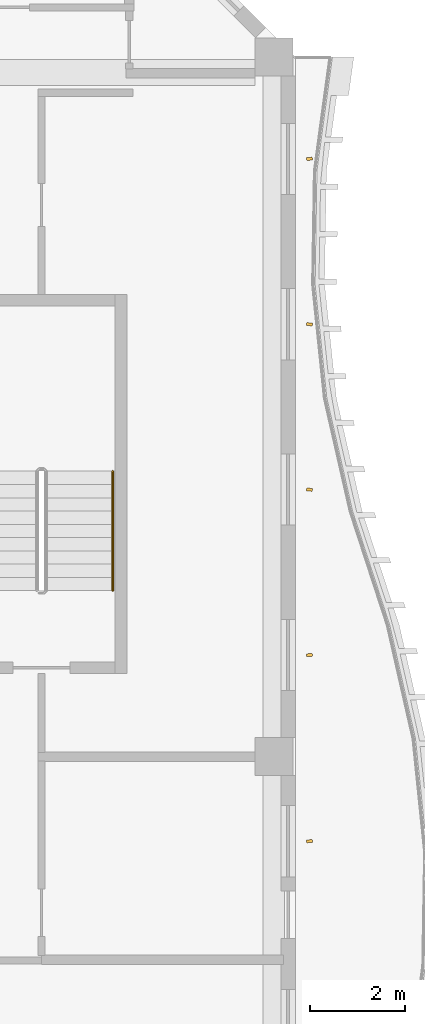
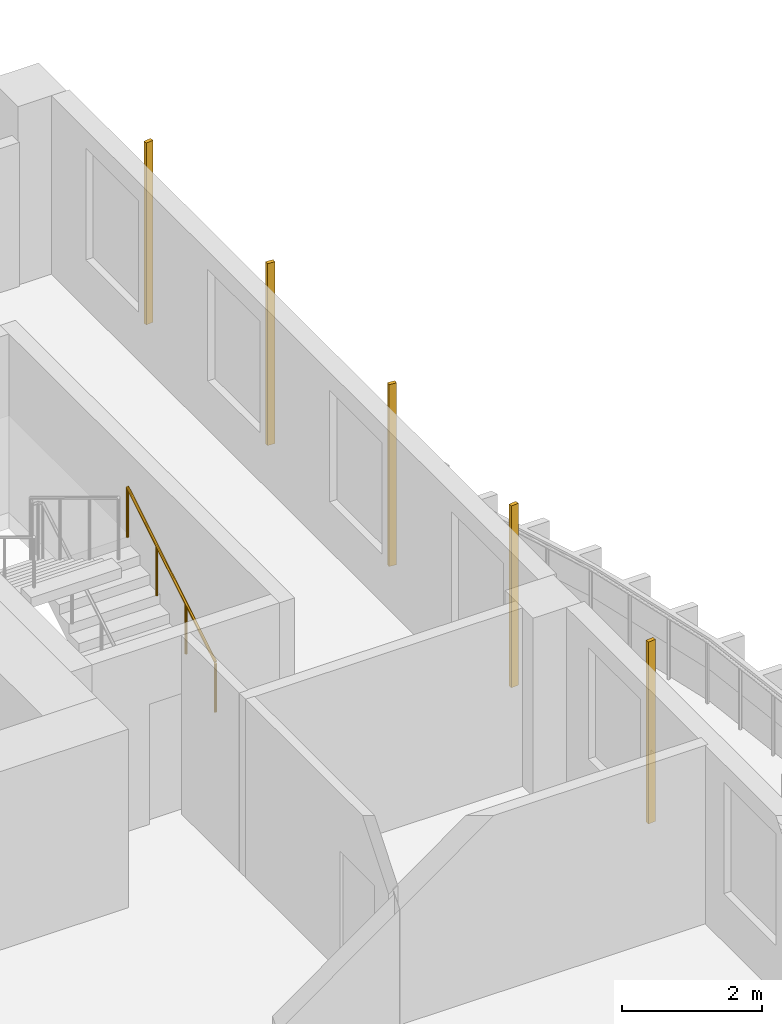
# One storey, part 24 of 24: 5 shading devices, 1 railing.
"""IFC4 building model written with IfcOpenShell, lengths in metres."""

from ifc_helpers import new_model, si_unit, direction, frame, origin, origin_2d, place, context, subcontext, project, spatial, rectangle, circle, extrude, source, transform, mapped, material, material_profile, profile_set, type_object, element, save


model = new_model("IFC4")

# Units and contexts
model_context = context("Model", 3, precision=1e-05, world=origin(), true_north=direction((0.0, 1.0)))
body_context = subcontext(model_context, "Body", "Model", "MODEL_VIEW")
ifc_project = project(units=[si_unit("LENGTHUNIT", "METRE"), si_unit("AREAUNIT", "SQUARE_METRE"), si_unit("VOLUMEUNIT", "CUBIC_METRE"), si_unit("PLANEANGLEUNIT", "RADIAN"), si_unit("MASSUNIT", "GRAM", prefix="KILO")], contexts=[model_context])

# Site, building, storey
site_placement = place(None, origin())
site = spatial("IfcSite", under=ifc_project, at=site_placement, CompositionType="ELEMENT")
building_placement = place(site_placement, origin())
building = spatial("IfcBuilding", under=site, at=building_placement, Name="Kilnfold Tower and Market Hall", CompositionType="ELEMENT")
storey_placement = place(building_placement, frame((0.0, 0.0, 175.300048828125)))
storey = spatial("IfcBuildingStorey", under=building, at=storey_placement, Name="L41", CompositionType="ELEMENT", Elevation=175.300048828125)

# Railing
ifc_material_1 = material(Name="Stainless steel 316", Category="steel")
railing_type = type_object("IfcRailingType", Name="CORE STAIR HANDRAIL 900", PredefinedType="HANDRAIL", material=ifc_material_1)
railing_placement = place(storey_placement, frame((21.39990234375, 11.5, 0.169921875)))
element("IfcRailing", 1, at=railing_placement, inside=storey, type_object=railing_type, Name="L41 ST5 stair handrail 1", PredefinedType="HANDRAIL", context=body_context, shape_type="SweptSolid", body=[
    extrude(circle(Radius=0.02392578125, at=origin_2d()), frame((0.0, 0.0, 0.8759765625), z_axis=(0.0, 0.85478489116, 0.518982456201), x_axis=(-1.0, 0.0, 0.0)), (0.0, 0.0, 1.0), 2.9482421875),
    extrude(circle(Radius=0.02099609375, at=origin_2d()), origin(), (0.0, 0.0, 1.0), 0.851806640625),
    extrude(circle(Radius=0.02099609375, at=origin_2d()), frame((0.0, 0.840087890625, 0.510009765625)), (0.0, 0.0, 1.0), 0.851806640625),
    extrude(circle(Radius=0.02099609375, at=origin_2d()), frame((0.0, 1.679931640625, 1.02001953125)), (0.0, 0.0, 1.0), 0.851806640625),
    extrude(circle(Radius=0.02099609375, at=origin_2d()), frame((0.0, 2.52001953125, 1.530029296875)), (0.0, 0.0, 1.0), 0.851806640625),
])

# Shading devices
ifc_material_2 = material(Name="Terracotta", Category="masonry")
ifc_material_profile = material_profile(ifc_material_2, rectangle(XDim=0.06005859375, YDim=0.1201171875, at=origin_2d()), Name="BAG 60x120")
ifc_profile_set = profile_set([ifc_material_profile], Name="Terracotta")
shading_device_type = type_object("IfcShadingDeviceType", Name="BAGUETTE", PredefinedType="USERDEFINED", material=ifc_profile_set)
shared_shape = source(origin(), body_context, "Body", "SweptSolid", [
    extrude(rectangle(XDim=0.06005859375, YDim=0.1201171875, at=origin_2d()), origin(), (0.0, 0.0, 1.0), 3.179931640625),
])
for number, where, z_axis, x_axis, name in (
    (2, (25.550048828125, 6.21875, 0.0), (0.0, 0.0, 1.0), (-0.09005897696, 0.99593643405, 0.0), "Terracotta baguette L41 E"),
    (3, (25.550048828125, 10.143798828125, 0.0), (0.0, 0.0, 1.0), (-0.08745653175, 0.996168336705, 0.0), "Terracotta baguette L41 E"),
    (4, (25.550048828125, 13.63134765625, 0.0), (0.0, 0.0, 1.0), (0.108047938958, 0.994145684941, 0.0), "Terracotta baguette L41 E"),
    (5, (25.550048828125, 17.11865234375, 0.0), (0.0, 0.0, 1.0), (0.088666561576, 0.996061364002, 0.0), "Terracotta baguette L41 E"),
    (6, (25.550048828125, 20.606201171875, 0.0), (0.0, 0.0, 1.0), (-0.107058872073, 0.99425268313, 0.0), "Terracotta baguette L41 E"),
):
    element("IfcShadingDevice", number, at=place(storey_placement, frame(where, z_axis=z_axis, x_axis=x_axis)), inside=storey, type_object=shading_device_type, Name=name, ObjectType="BAGUETTE", PredefinedType="USERDEFINED", context=body_context, shape_type="MappedRepresentation", body=[
        mapped(shared_shape, transform((0.0, 0.0, 0.0))),
    ])

save(model, "model.ifc")
